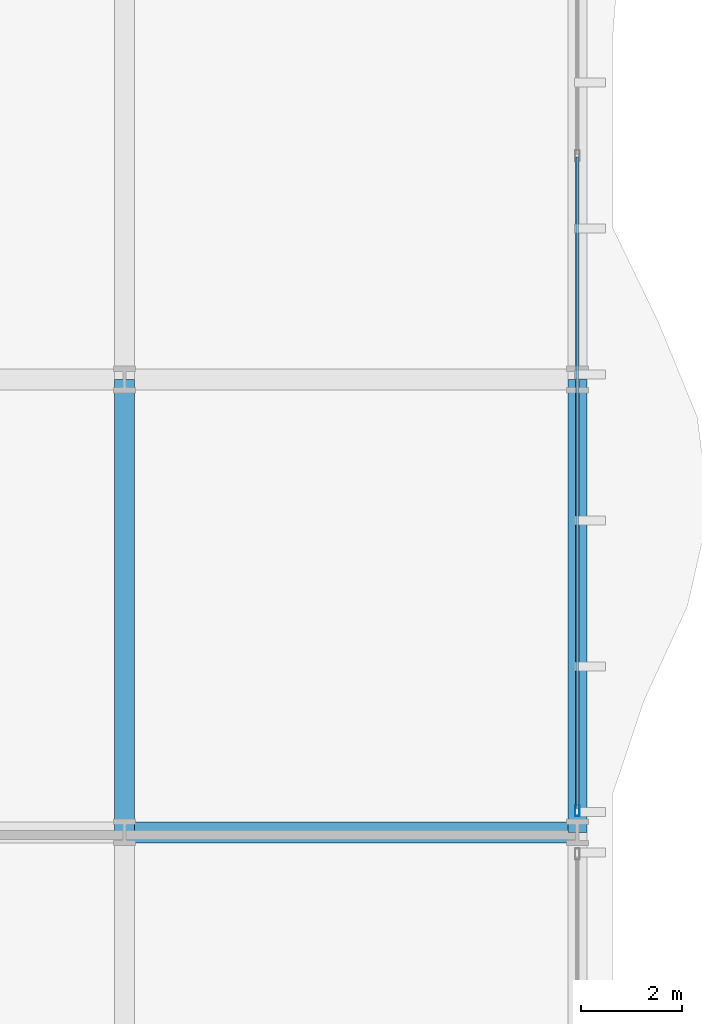
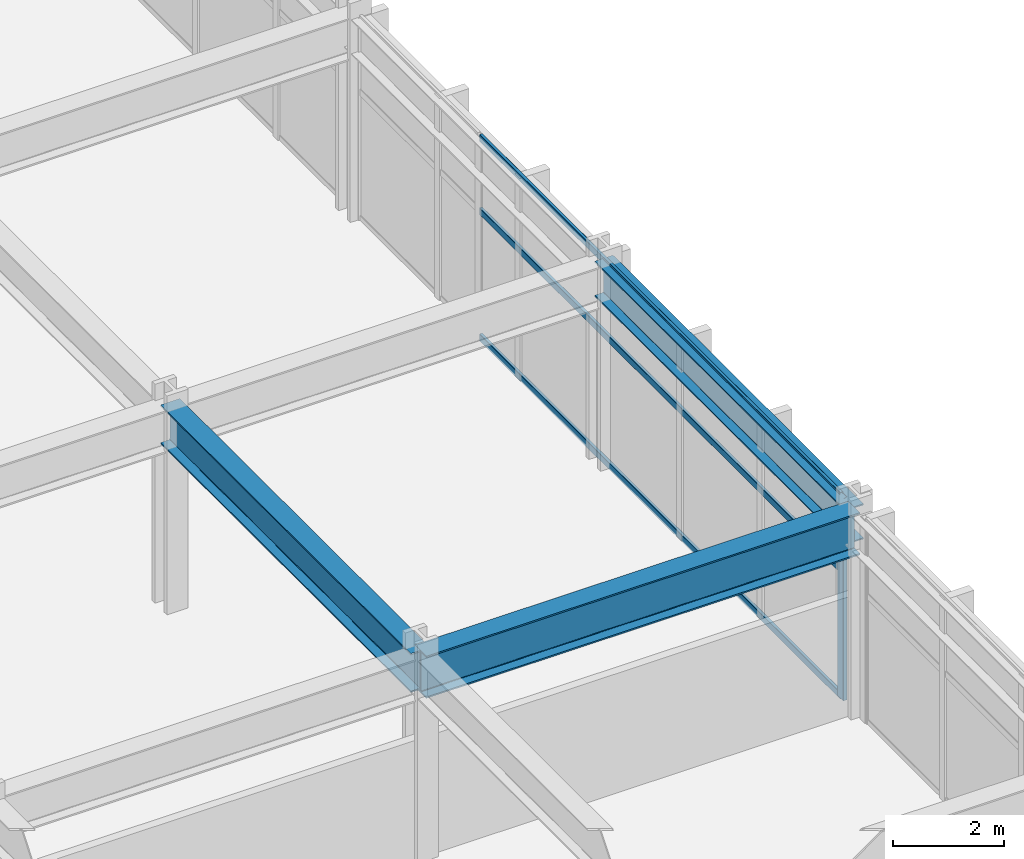
# One storey, part 13 of 31: 4 members, 3 beams, 1 element without a shape of its own.
"""IFC4 building model written with IfcOpenShell, lengths in metres."""

from ifc_helpers import new_model, si_unit, direction, frame, origin, origin_2d, place, context, subcontext, project, spatial, hollow_rectangle, i_section, extrude, material, layer, layer_set, material_profile, profile_set, type_object, element, aggregate, save


model = new_model("IFC4")

# Units and contexts
model_context = context("Model", 3, precision=1e-05, world=origin(), true_north=direction((0.0, 1.0)))
body_context = subcontext(model_context, "Body", "Model", "MODEL_VIEW")
ifc_project = project(units=[si_unit("LENGTHUNIT", "METRE"), si_unit("AREAUNIT", "SQUARE_METRE"), si_unit("VOLUMEUNIT", "CUBIC_METRE"), si_unit("PLANEANGLEUNIT", "RADIAN"), si_unit("MASSUNIT", "GRAM", prefix="KILO")], contexts=[model_context])

# Site, building, storey
site_placement = place(None, origin())
site = spatial("IfcSite", under=ifc_project, at=site_placement, CompositionType="ELEMENT")
building_placement = place(site_placement, origin())
building = spatial("IfcBuilding", under=site, at=building_placement, Name="Solvaryn Broadcast Tower", CompositionType="ELEMENT")
storey_placement = place(building_placement, frame((0.0, 0.0, 26.0)))
storey = spatial("IfcBuildingStorey", under=building, at=storey_placement, Name="L05", CompositionType="ELEMENT", Elevation=26.0)

# Beams
ifc_material_1 = material(Name="Steel ASTM A992 Grade 50", Category="steel")
ifc_material_profile_1 = material_profile(ifc_material_1, i_section(OverallWidth=0.41796875, OverallDepth=0.927001953125, WebThickness=0.019287109375, FlangeThickness=0.031982421875, FilletRadius=0.02392578125, at=origin_2d()))
ifc_profile_set_1 = profile_set([ifc_material_profile_1], Name="Steel ASTM A992 Grade 50")
beam_type_1 = type_object("IfcBeamType", Name="BM-G2-W36X231", PredefinedType="BEAM", material=ifc_profile_set_1)
beam_1_placement = place(storey_placement, frame((54.0, 27.0, 3.9765625), z_axis=(1.0, 0.0, 0.0), x_axis=(0.0, 1.0, 0.0)))
element("IfcBeam", 1, at=beam_1_placement, inside=storey, type_object=beam_type_1, Name="L05 Primary Beam X (54-63 @ Y=27)", PredefinedType="BEAM", context=body_context, shape_type="SweptSolid", body=[
    extrude(i_section(OverallWidth=0.41796875, OverallDepth=0.927001953125, WebThickness=0.019287109375, FlangeThickness=0.031982421875, FilletRadius=0.02392578125, at=origin_2d()), origin(), (0.0, 0.0, 1.0), 9.0),
])
ifc_material_2 = material(Name="Steel ASTM A992 Grade 50", Category="steel")
ifc_material_profile_2 = material_profile(ifc_material_2, i_section(OverallWidth=0.39990234375, OverallDepth=0.85498046875, WebThickness=0.018310546875, FlangeThickness=0.029296875, FilletRadius=0.02001953125, at=origin_2d()))
ifc_profile_set_2 = profile_set([ifc_material_profile_2], Name="Steel ASTM A992 Grade 50")
beam_type_2 = type_object("IfcBeamType", Name="BM-G3-W33X201", PredefinedType="BEAM", material=ifc_profile_set_2)
beam_2_placement = place(storey_placement, frame((54.0, 27.0, 4.012451171875), z_axis=(0.0, 1.0, 0.0), x_axis=(-1.0, 0.0, 0.0)))
element("IfcBeam", 2, at=beam_2_placement, inside=storey, type_object=beam_type_2, Name="L05 Primary Beam Y (27-36 @ X=54)", PredefinedType="BEAM", context=body_context, shape_type="SweptSolid", body=[
    extrude(i_section(OverallWidth=0.39990234375, OverallDepth=0.85498046875, WebThickness=0.018310546875, FlangeThickness=0.029296875, FilletRadius=0.02001953125, at=origin_2d()), origin(), (0.0, 0.0, 1.0), 9.0),
])
ifc_material_3 = material(Name="Steel ASTM A992 Grade 50", Category="steel")
ifc_material_profile_3 = material_profile(ifc_material_3, i_section(OverallWidth=0.381103515625, OverallDepth=0.77294921875, WebThickness=0.0166015625, FlangeThickness=0.027099609375, FilletRadius=0.01806640625, at=origin_2d()))
ifc_profile_set_3 = profile_set([ifc_material_profile_3], Name="Steel ASTM A992 Grade 50")
beam_type_3 = type_object("IfcBeamType", Name="BM-SP1-W30X173", PredefinedType="USERDEFINED", material=ifc_profile_set_3)
beam_3_placement = place(storey_placement, frame((63.0, 27.0, 4.053466796875), z_axis=(0.0, 1.0, 0.0), x_axis=(-1.0, 0.0, 0.0)))
element("IfcBeam", 3, at=beam_3_placement, inside=storey, type_object=beam_type_3, Name="L05 Spandrel Beam Y (27-36 @ X=63)", ObjectType="SPANDREL", PredefinedType="USERDEFINED", context=body_context, shape_type="SweptSolid", body=[
    extrude(i_section(OverallWidth=0.381103515625, OverallDepth=0.77294921875, WebThickness=0.0166015625, FlangeThickness=0.027099609375, FilletRadius=0.01806640625, at=origin_2d()), origin(), (0.0, 0.0, 1.0), 9.0),
])

# Curtain wall, members
ifc_material_4 = material(Name="Aluminium and Terracotta Unitised Curtain Wall", Category="masonry")
ifc_layer = layer(ifc_material_4, 0.219970703125)
ifc_layer_set = layer_set([ifc_layer], Name="CW-SYS1-PODIUM")
curtain_wall_type = type_object("IfcCurtainWallType", Name="CW-SYS1-PODIUM", PredefinedType="NOTDEFINED", material=ifc_layer_set)
curtain_wall_placement = place(storey_placement, origin())
curtain_wall = element("IfcCurtainWall", 4, at=curtain_wall_placement, inside=storey, type_object=curtain_wall_type, Name="L05 Podium Curtain Wall E1", PredefinedType="NOTDEFINED")
ifc_material_5 = material(Name="Anodised Aluminium 6063-T6", Category="aluminium")
ifc_material_profile_4 = material_profile(ifc_material_5, hollow_rectangle(XDim=0.0849609375, YDim=0.219970703125, WallThickness=0.0048828125, InnerFilletRadius=0.0048828125, OuterFilletRadius=0.010009765625, at=origin_2d()))
ifc_profile_set_4 = profile_set([ifc_material_profile_4], Name="Anodised Aluminium 6063-T6")
member_type_1 = type_object("IfcMemberType", Name="CW-MUL-220", PredefinedType="MULLION", material=ifc_profile_set_4)
member_1_placement = place(storey_placement, frame((63.0, 27.429931640625, 0.0), z_axis=(0.0, 0.0, 1.0), x_axis=(1.0, 0.0, 0.0)))
member_1 = element("IfcMember", 5, at=member_1_placement, type_object=member_type_1, Name="CWS1 mullion 3", PredefinedType="MULLION", context=body_context, shape_type="SweptSolid", body=[
    extrude(hollow_rectangle(XDim=0.0849609375, YDim=0.219970703125, WallThickness=0.0048828125, InnerFilletRadius=0.0048828125, OuterFilletRadius=0.010009765625, at=origin_2d()), origin(), (0.0, 0.0, 1.0), 4.43994140625),
])
ifc_material_6 = material(Name="Anodised Aluminium 6063-T6", Category="aluminium")
ifc_material_profile_5 = material_profile(ifc_material_6, hollow_rectangle(XDim=0.06494140625, YDim=0.14990234375, WallThickness=0.00390625, InnerFilletRadius=0.00390625, OuterFilletRadius=0.008056640625, at=origin_2d()))
ifc_profile_set_5 = profile_set([ifc_material_profile_5], Name="Anodised Aluminium 6063-T6")
member_type_2 = type_object("IfcMemberType", Name="CW-TRN-150", PredefinedType="USERDEFINED", material=ifc_profile_set_5)
member_2_placement = place(storey_placement, frame((63.0, 40.419921875, 0.030029296875), z_axis=(0.0, -1.0, 0.0), x_axis=(1.0, 0.0, 0.0)))
member_2 = element("IfcMember", 6, at=member_2_placement, type_object=member_type_2, Name="CWS1 transom 2.1", ObjectType="TRANSOM", PredefinedType="USERDEFINED", context=body_context, shape_type="SweptSolid", body=[
    extrude(hollow_rectangle(XDim=0.06494140625, YDim=0.14990234375, WallThickness=0.00390625, InnerFilletRadius=0.00390625, OuterFilletRadius=0.008056640625, at=origin_2d()), origin(), (0.0, 0.0, 1.0), 12.9599609375),
])
member_3_placement = place(storey_placement, frame((63.0, 40.419921875, 2.800048828125), z_axis=(0.0, -1.0, 0.0), x_axis=(1.0, 0.0, 0.0)))
member_3 = element("IfcMember", 7, at=member_3_placement, type_object=member_type_2, Name="CWS1 transom 2.2", ObjectType="TRANSOM", PredefinedType="USERDEFINED", context=body_context, shape_type="SweptSolid", body=[
    extrude(hollow_rectangle(XDim=0.06494140625, YDim=0.14990234375, WallThickness=0.00390625, InnerFilletRadius=0.00390625, OuterFilletRadius=0.008056640625, at=origin_2d()), origin(), (0.0, 0.0, 1.0), 12.9599609375),
])
member_4_placement = place(storey_placement, frame((63.0, 40.419921875, 4.409912109375), z_axis=(0.0, -1.0, 0.0), x_axis=(1.0, 0.0, 0.0)))
member_4 = element("IfcMember", 8, at=member_4_placement, type_object=member_type_2, Name="CWS1 transom 2.3", ObjectType="TRANSOM", PredefinedType="USERDEFINED", context=body_context, shape_type="SweptSolid", body=[
    extrude(hollow_rectangle(XDim=0.06494140625, YDim=0.14990234375, WallThickness=0.00390625, InnerFilletRadius=0.00390625, OuterFilletRadius=0.008056640625, at=origin_2d()), origin(), (0.0, 0.0, 1.0), 12.9599609375),
])
aggregate(curtain_wall, [member_1, member_2, member_3, member_4])

save(model, "model.ifc")
